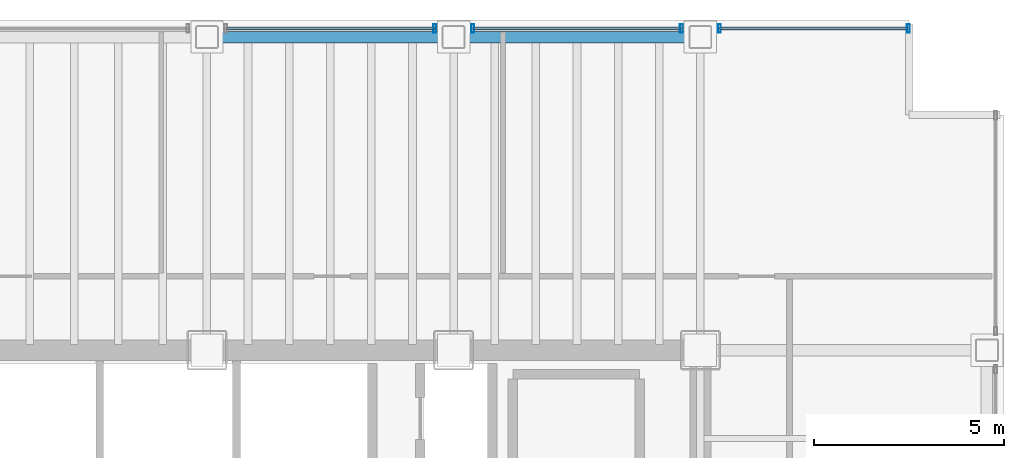
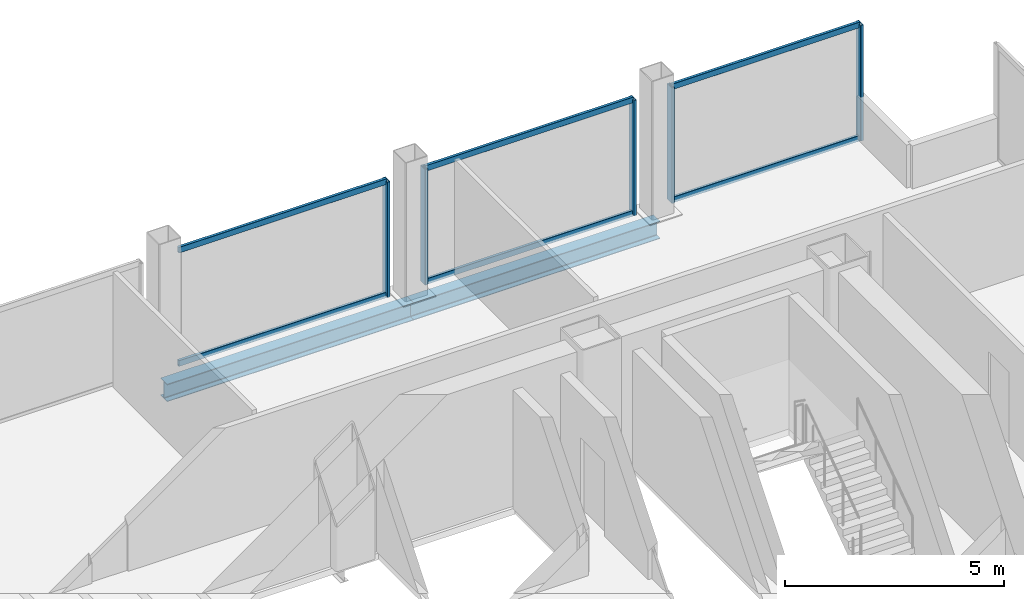
# One storey, part 16 of 21: 11 members, 2 beams, 3 elements without a shape of their own.
"""IFC4 building model written with IfcOpenShell, lengths in metres."""

import ifcopenshell
import ifcopenshell.guid

model = None  # the IFC model being written
_history = None  # IfcOwnerHistory: only IFC2X3 demands one
_inside = {}  # id of a spatial element -> (the spatial element, [elements in it])
_under = {}  # id of a project, library or spatial element -> (it, [spatial elements below it])
_declared = {}  # id of a project -> (the project, [libraries it declares])
_typed = {}  # id of a type object -> (the type object, [elements of that type])
_made_of = {}  # id of a material, layer set ... -> (it, [elements and type objects made of it])


def new_model(schema):
    """Start an empty IFC model of exactly this schema.

    Asked for "IFC4X3", IfcOpenShell would pick the latest addendum, in which some entities
    have other attributes; the version numbers below select the first issue.
    IFC2X3 requires an IfcOwnerHistory on every rooted entity: one is made here for all.
    """
    global model, _history
    if schema == "IFC4X3":
        model = ifcopenshell.file(schema_version=(4, 3, 0, 0))
    else:
        model = ifcopenshell.file(schema=schema)
    _inside.clear()
    _under.clear()
    _declared.clear()
    _typed.clear()
    _made_of.clear()
    _history = None
    if model.schema == "IFC2X3":
        org = make("IfcOrganization", Name="unknown")
        user = make(
            "IfcPersonAndOrganization",
            ThePerson=make("IfcPerson", FamilyName="unknown"),
            TheOrganization=org,
        )
        app = make(
            "IfcApplication",
            ApplicationDeveloper=org,
            Version="unknown",
            ApplicationFullName="unknown",
            ApplicationIdentifier="unknown",
        )
        _history = make(
            "IfcOwnerHistory",
            OwningUser=user,
            OwningApplication=app,
            ChangeAction="ADDED",
            CreationDate=0,
        )
    return model


def make(cls, **values):
    """One entity of the class cls with the attributes given. An attribute that is None is left unset."""
    return model.create_entity(
        cls, **{name: value for name, value in values.items() if value is not None}
    )


def rooted(cls, **values):
    """An entity with a GlobalId (a new one), such as an element, a storey or a relation."""
    return make(cls, GlobalId=ifcopenshell.guid.new(), OwnerHistory=_history, **values)


def si_unit(unit_type, name, prefix=None):
    """IfcSIUnit, for example si_unit("LENGTHUNIT", "METRE", prefix="MILLI")."""
    return make("IfcSIUnit", UnitType=unit_type, Prefix=prefix, Name=name)


def assignment(units):
    """IfcUnitAssignment: the units of a project."""
    return None if units is None else make("IfcUnitAssignment", Units=units)


def point(xyz):
    """IfcCartesianPoint."""
    return None if xyz is None else make("IfcCartesianPoint", Coordinates=xyz)


def direction(xyz):
    """IfcDirection."""
    return None if xyz is None else make("IfcDirection", DirectionRatios=xyz)


def frame(location, z_axis=None, x_axis=None):
    """IfcAxis2Placement3D, a coordinate frame: its origin and axes. An axis left out is left unset."""
    return make(
        "IfcAxis2Placement3D",
        Location=point(location),
        Axis=direction(z_axis),
        RefDirection=direction(x_axis),
    )


def frame_2d(location, x_axis=None):
    """IfcAxis2Placement2D, a coordinate frame in the plane: its origin and x axis."""
    return make(
        "IfcAxis2Placement2D", Location=point(location), RefDirection=direction(x_axis)
    )


def origin():
    """The frame at (0, 0, 0) with its axes left unset."""
    return frame((0.0, 0.0, 0.0))


def origin_2d():
    """The frame at (0, 0) in the plane with its x axis left unset."""
    return frame_2d((0.0, 0.0))


def place(relative_to, where):
    """IfcLocalPlacement: puts the frame where relative to a parent placement (None: the world)."""
    return make(
        "IfcLocalPlacement", PlacementRelTo=relative_to, RelativePlacement=where
    )


def context(
    kind, dimensions, precision=None, world=None, true_north=None, identifier=None
):
    """IfcGeometricRepresentationContext, for example the 3D "Model" context."""
    return make(
        "IfcGeometricRepresentationContext",
        ContextIdentifier=identifier,
        ContextType=kind,
        CoordinateSpaceDimension=dimensions,
        Precision=precision,
        WorldCoordinateSystem=world,
        TrueNorth=true_north,
    )


def subcontext(parent, identifier, kind, view, scale=None):
    """IfcGeometricRepresentationSubContext, for example "Body" below "Model"."""
    return make(
        "IfcGeometricRepresentationSubContext",
        ContextIdentifier=identifier,
        ContextType=kind,
        ParentContext=parent,
        TargetScale=scale,
        TargetView=view,
    )


def project(units=None, contexts=None):
    """IfcProject with its units and contexts."""
    return rooted(
        "IfcProject",
        Name="project",
        RepresentationContexts=contexts,
        UnitsInContext=assignment(units),
    )


def spatial(cls, under=None, at=None, **own):
    """A site, building, storey or space (cls), placed at a placement, below another one or the project."""
    s = rooted(cls, ObjectPlacement=at, **own)
    if under is not None:
        _under.setdefault(under.id(), (under, []))[1].append(s)
    return s


def profile(cls, at=None, kind="AREA", **sizes):
    """A parametric profile (cls). Its sizes go by their IFC names, for example OverallWidth=200.0."""
    return make(cls, ProfileType=kind, Position=at, **sizes)


def hollow_rectangle(**sizes):
    """IfcRectangleHollowProfileDef."""
    return profile("IfcRectangleHollowProfileDef", **sizes)


def i_section(**sizes):
    """IfcIShapeProfileDef."""
    return profile("IfcIShapeProfileDef", **sizes)


def extrude(swept, where, along, depth):
    """IfcExtrudedAreaSolid: the profile swept, set in the frame where, extruded along a direction by depth."""
    return make(
        "IfcExtrudedAreaSolid",
        SweptArea=swept,
        Position=where,
        ExtrudedDirection=direction(along),
        Depth=depth,
    )


def shape(context_of_items, identifier, shape_type, items):
    """IfcShapeRepresentation: the items that make up one representation, for example the "Body"."""
    return make(
        "IfcShapeRepresentation",
        ContextOfItems=context_of_items,
        RepresentationIdentifier=identifier,
        RepresentationType=shape_type,
        Items=items,
    )


def material(Name=None, Category=None):
    """IfcMaterial."""
    return make("IfcMaterial", Name=Name, Category=Category)


def material_profile(
    of_material, cross_section, Name=None, Category=None, Priority=None
):
    """IfcMaterialProfile: a cross section and its material."""
    return make(
        "IfcMaterialProfile",
        Name=Name,
        Material=of_material,
        Profile=cross_section,
        Priority=Priority,
        Category=Category,
    )


def profile_set(profiles, Name=None, composite=None):
    """IfcMaterialProfileSet."""
    return make(
        "IfcMaterialProfileSet",
        Name=Name,
        MaterialProfiles=profiles,
        CompositeProfile=composite,
    )


def made_of(thing, what):
    """Note that an element or type object is made of a material, layer set ...; save() writes the relation."""
    if what is not None:
        _made_of.setdefault(what.id(), (what, []))[1].append(thing)
    return thing


def type_object(cls, material=None, **own):
    """A type object (cls), such as IfcWallType, which elements share."""
    return made_of(rooted(cls, **own), material)


def element(
    cls,
    number,
    at=None,
    inside=None,
    cuts=None,
    type_object=None,
    material=None,
    context=None,
    identifier="Body",
    shape_type=None,
    held_by="IfcProductDefinitionShape",
    body=None,
    shapes=None,
    **own,
):
    """One element of the class cls, such as IfcWall. Its Tag is "e" and its number.

    at: its placement. inside: the storey or other place that contains it. cuts: it is an
    opening in that element (IfcRelVoidsElement). A single representation is given by context,
    identifier, shape_type and body (its items); several are given by shapes. held_by: the class
    of the entity that holds the representations. save() writes the other relations.
    """
    e = rooted(cls, Tag="e%d" % number, ObjectPlacement=at, **own)
    if body is not None:
        shapes = [shape(context, identifier, shape_type, body)]
    if shapes is not None:
        e.Representation = make(held_by, Representations=shapes)
    if inside is not None:
        _inside.setdefault(inside.id(), (inside, []))[1].append(e)
    if cuts is not None:
        rooted(
            "IfcRelVoidsElement", RelatingBuildingElement=cuts, RelatedOpeningElement=e
        )
    if type_object is not None:
        _typed.setdefault(type_object.id(), (type_object, []))[1].append(e)
    return made_of(e, material)


def aggregate(whole, parts):
    """IfcRelAggregates: a whole, such as a stair, and the parts it consists of."""
    return rooted("IfcRelAggregates", RelatingObject=whole, RelatedObjects=parts)


def save(model, path):
    """Write the relations noted so far, then the file.

    IfcRelAggregates (storeys below a building ...), IfcRelContainedInSpatialStructure (elements
    in a storey), IfcRelDefinesByType, IfcRelAssociatesMaterial and IfcRelDeclares: one each for
    every whole, place, type object, material and project.
    """
    for whole, parts in _under.values():
        aggregate(whole, parts)
    for where, things in _inside.values():
        rooted(
            "IfcRelContainedInSpatialStructure",
            RelatedElements=things,
            RelatingStructure=where,
        )
    for kind, things in _typed.values():
        rooted("IfcRelDefinesByType", RelatedObjects=things, RelatingType=kind)
    for what, things in _made_of.values():
        rooted("IfcRelAssociatesMaterial", RelatedObjects=things, RelatingMaterial=what)
    for by, libraries in _declared.values():
        rooted("IfcRelDeclares", RelatingContext=by, RelatedDefinitions=libraries)
    model.write(path)


model = new_model("IFC4")

# Units and contexts
model_context = context("Model", 3, precision=1e-05, world=origin(), true_north=direction((0.0, 1.0)))
body_context = subcontext(model_context, "Body", "Model", "MODEL_VIEW")
ifc_project = project(units=[si_unit("LENGTHUNIT", "METRE"), si_unit("AREAUNIT", "SQUARE_METRE"), si_unit("VOLUMEUNIT", "CUBIC_METRE"), si_unit("PLANEANGLEUNIT", "RADIAN"), si_unit("MASSUNIT", "GRAM", prefix="KILO")], contexts=[model_context])

# Site, building, storey
site_placement = place(None, origin())
site = spatial("IfcSite", under=ifc_project, at=site_placement, CompositionType="ELEMENT")
building_placement = place(site_placement, origin())
building = spatial("IfcBuilding", under=site, at=building_placement, Name="Noeulbin Bourse Tower", CompositionType="ELEMENT")
storey_placement = place(building_placement, frame((0.0, 0.0, 42.10009765625)))
storey = spatial("IfcBuildingStorey", under=building, at=storey_placement, Name="L10", CompositionType="ELEMENT", Elevation=42.10009765625)

# Beams
ifc_material_1 = material(Name="Steel S355", Category="steel")
ifc_material_profile_1 = material_profile(ifc_material_1, i_section(OverallWidth=0.300048828125, OverallDepth=0.488037109375, WebThickness=0.010986328125, FlangeThickness=0.01806640625, FilletRadius=0.02197265625, at=origin_2d()), Name="H-488x300x11x18", Category="LoadBearing")
ifc_profile_set_1 = profile_set([ifc_material_profile_1], Name="Steel S355")
beam_type = type_object("IfcBeamType", Name="BM-SPN-488", PredefinedType="SPANDREL", material=ifc_profile_set_1)
for number, where, z_axis, x_axis, name in (
    (1, (31.0, 46.550048828125, -0.424072265625), (1.0, 0.0, 0.0), (0.0, 1.0, 0.0), "North Spandrel L10-3"),
    (2, (37.5, 46.550048828125, -0.424072265625), (1.0, 0.0, 0.0), (0.0, 1.0, 0.0), "North Spandrel L10-4"),
):
    element("IfcBeam", number, at=place(storey_placement, frame(where, z_axis=z_axis, x_axis=x_axis)), inside=storey, type_object=beam_type, Name=name, PredefinedType="SPANDREL", context=body_context, shape_type="SweptSolid", body=[
        extrude(i_section(OverallWidth=0.300048828125, OverallDepth=0.488037109375, WebThickness=0.010986328125, FlangeThickness=0.01806640625, FilletRadius=0.02197265625, at=origin_2d()), origin(), (0.0, 0.0, 1.0), 6.5),
    ])

# Curtain wall, member
ifc_material_2 = material(Name="Dark Solar-Control Double Glazing", Category="glass")
curtain_wall_type = type_object("IfcCurtainWallType", Name="CW-SYS-2", PredefinedType="NOTDEFINED", material=ifc_material_2)
curtain_wall_1_placement = place(storey_placement, origin())
curtain_wall_1 = element("IfcCurtainWall", 3, at=curtain_wall_1_placement, inside=storey, type_object=curtain_wall_type, Name="Unitised Curtain Wall CW-L10-N-S4", PredefinedType="NOTDEFINED")
ifc_material_3 = material(Name="Anodised Aluminium 6063-T6", Category="aluminium")
ifc_material_profile_2 = material_profile(ifc_material_3, hollow_rectangle(XDim=0.074951171875, YDim=0.219970703125, WallThickness=0.0048828125, InnerFilletRadius=0.00244140625, OuterFilletRadius=0.0048828125, at=origin_2d()), Name="ALU-MULL-75x220x5", Category="LoadBearing")
ifc_profile_set_2 = profile_set([ifc_material_profile_2], Name="Anodised Aluminium 6063-T6")
member_type_1 = type_object("IfcMemberType", Name="CW-SYS-2-MUL", PredefinedType="MULLION", material=ifc_profile_set_2)
member_1_placement = place(storey_placement, frame((37.0, 46.780029296875, -0.02001953125), z_axis=(0.0, 0.0, 1.0), x_axis=(1.0, 0.0, 0.0)))
member_1 = element("IfcMember", 4, at=member_1_placement, type_object=member_type_1, Name="Curtain Wall Mullion CW-L10-N-S4-M01", PredefinedType="MULLION", context=body_context, shape_type="SweptSolid", body=[
    extrude(hollow_rectangle(XDim=0.074951171875, YDim=0.219970703125, WallThickness=0.0048828125, InnerFilletRadius=0.00244140625, OuterFilletRadius=0.0048828125, at=origin_2d()), origin(), (0.0, 0.0, 1.0), 3.219970703125),
])

# Curtain wall, members
curtain_wall_2_placement = place(storey_placement, origin())
curtain_wall_2 = element("IfcCurtainWall", 5, at=curtain_wall_2_placement, inside=storey, type_object=curtain_wall_type, Name="Unitised Curtain Wall CW-L10-N-S5", PredefinedType="NOTDEFINED")
member_2_placement = place(storey_placement, frame((38.0, 46.780029296875, -0.02001953125), z_axis=(0.0, 0.0, 1.0), x_axis=(1.0, 0.0, 0.0)))
member_2 = element("IfcMember", 6, at=member_2_placement, type_object=member_type_1, Name="Curtain Wall Mullion CW-L10-N-S5-M00", PredefinedType="MULLION", context=body_context, shape_type="SweptSolid", body=[
    extrude(hollow_rectangle(XDim=0.074951171875, YDim=0.219970703125, WallThickness=0.0048828125, InnerFilletRadius=0.00244140625, OuterFilletRadius=0.0048828125, at=origin_2d()), origin(), (0.0, 0.0, 1.0), 3.219970703125),
])
member_3_placement = place(storey_placement, frame((43.5, 46.780029296875, -0.02001953125), z_axis=(0.0, 0.0, 1.0), x_axis=(1.0, 0.0, 0.0)))
member_3 = element("IfcMember", 7, at=member_3_placement, type_object=member_type_1, Name="Curtain Wall Mullion CW-L10-N-S5-M01", PredefinedType="MULLION", context=body_context, shape_type="SweptSolid", body=[
    extrude(hollow_rectangle(XDim=0.074951171875, YDim=0.219970703125, WallThickness=0.0048828125, InnerFilletRadius=0.00244140625, OuterFilletRadius=0.0048828125, at=origin_2d()), origin(), (0.0, 0.0, 1.0), 3.219970703125),
])

curtain_wall_3_placement = place(storey_placement, origin())
curtain_wall_3 = element("IfcCurtainWall", 8, at=curtain_wall_3_placement, inside=storey, type_object=curtain_wall_type, Name="Unitised Curtain Wall CW-L10-N-S6", PredefinedType="NOTDEFINED")
member_4_placement = place(storey_placement, frame((44.5, 46.780029296875, -0.02001953125), z_axis=(0.0, 0.0, 1.0), x_axis=(1.0, 0.0, 0.0)))
member_4 = element("IfcMember", 9, at=member_4_placement, type_object=member_type_1, Name="Curtain Wall Mullion CW-L10-N-S6-M00", PredefinedType="MULLION", context=body_context, shape_type="SweptSolid", body=[
    extrude(hollow_rectangle(XDim=0.074951171875, YDim=0.219970703125, WallThickness=0.0048828125, InnerFilletRadius=0.00244140625, OuterFilletRadius=0.0048828125, at=origin_2d()), origin(), (0.0, 0.0, 1.0), 3.219970703125),
])
member_5_placement = place(storey_placement, frame((49.47998046875, 46.780029296875, -0.02001953125), z_axis=(0.0, 0.0, 1.0), x_axis=(1.0, 0.0, 0.0)))
member_5 = element("IfcMember", 10, at=member_5_placement, type_object=member_type_1, Name="Curtain Wall Mullion CW-L10-N-S6-M01", PredefinedType="MULLION", context=body_context, shape_type="SweptSolid", body=[
    extrude(hollow_rectangle(XDim=0.074951171875, YDim=0.219970703125, WallThickness=0.0048828125, InnerFilletRadius=0.00244140625, OuterFilletRadius=0.0048828125, at=origin_2d()), origin(), (0.0, 0.0, 1.0), 3.219970703125),
])

# Member
ifc_material_profile_3 = material_profile(ifc_material_3, hollow_rectangle(XDim=0.074951171875, YDim=0.159912109375, WallThickness=0.0048828125, InnerFilletRadius=0.00244140625, OuterFilletRadius=0.0048828125, at=origin_2d()), Name="ALU-TRAN-75x160x5", Category="LoadBearing")
ifc_profile_set_3 = profile_set([ifc_material_profile_3], Name="Anodised Aluminium 6063-T6")
member_type_2 = type_object("IfcMemberType", Name="CW-SYS-2-TRN", PredefinedType="USERDEFINED", material=ifc_profile_set_3)
member_6_placement = place(storey_placement, frame((31.510009765625, 46.780029296875, 0.010009765625), z_axis=(1.0, 0.0, 0.0), x_axis=(0.0, 1.0, 0.0)))
member_6 = element("IfcMember", 11, at=member_6_placement, type_object=member_type_2, Name="Curtain Wall Transom CW-L10-N-S4-T00", ObjectType="TRANSOM", PredefinedType="USERDEFINED", context=body_context, shape_type="SweptSolid", body=[
    extrude(hollow_rectangle(XDim=0.074951171875, YDim=0.159912109375, WallThickness=0.0048828125, InnerFilletRadius=0.00244140625, OuterFilletRadius=0.0048828125, at=origin_2d()), origin(), (0.0, 0.0, 1.0), 5.47998046875),
])

member_7_placement = place(storey_placement, frame((31.510009765625, 46.780029296875, 3.169921875), z_axis=(1.0, 0.0, 0.0), x_axis=(0.0, 1.0, 0.0)))
member_7 = element("IfcMember", 12, at=member_7_placement, type_object=member_type_2, Name="Curtain Wall Transom CW-L10-N-S4-T01", ObjectType="TRANSOM", PredefinedType="USERDEFINED", context=body_context, shape_type="SweptSolid", body=[
    extrude(hollow_rectangle(XDim=0.074951171875, YDim=0.159912109375, WallThickness=0.0048828125, InnerFilletRadius=0.00244140625, OuterFilletRadius=0.0048828125, at=origin_2d()), origin(), (0.0, 0.0, 1.0), 5.47998046875),
])

aggregate(curtain_wall_1, [member_1, member_6, member_7])

member_8_placement = place(storey_placement, frame((38.010009765625, 46.780029296875, 0.010009765625), z_axis=(1.0, 0.0, 0.0), x_axis=(0.0, 1.0, 0.0)))
member_8 = element("IfcMember", 13, at=member_8_placement, type_object=member_type_2, Name="Curtain Wall Transom CW-L10-N-S5-T00", ObjectType="TRANSOM", PredefinedType="USERDEFINED", context=body_context, shape_type="SweptSolid", body=[
    extrude(hollow_rectangle(XDim=0.074951171875, YDim=0.159912109375, WallThickness=0.0048828125, InnerFilletRadius=0.00244140625, OuterFilletRadius=0.0048828125, at=origin_2d()), origin(), (0.0, 0.0, 1.0), 5.47998046875),
])

member_9_placement = place(storey_placement, frame((38.010009765625, 46.780029296875, 3.169921875), z_axis=(1.0, 0.0, 0.0), x_axis=(0.0, 1.0, 0.0)))
member_9 = element("IfcMember", 14, at=member_9_placement, type_object=member_type_2, Name="Curtain Wall Transom CW-L10-N-S5-T01", ObjectType="TRANSOM", PredefinedType="USERDEFINED", context=body_context, shape_type="SweptSolid", body=[
    extrude(hollow_rectangle(XDim=0.074951171875, YDim=0.159912109375, WallThickness=0.0048828125, InnerFilletRadius=0.00244140625, OuterFilletRadius=0.0048828125, at=origin_2d()), origin(), (0.0, 0.0, 1.0), 5.47998046875),
])

aggregate(curtain_wall_2, [member_2, member_3, member_8, member_9])

member_10_placement = place(storey_placement, frame((44.510009765625, 46.780029296875, 0.010009765625), z_axis=(1.0, 0.0, 0.0), x_axis=(0.0, 1.0, 0.0)))
member_10 = element("IfcMember", 15, at=member_10_placement, type_object=member_type_2, Name="Curtain Wall Transom CW-L10-N-S6-T00", ObjectType="TRANSOM", PredefinedType="USERDEFINED", context=body_context, shape_type="SweptSolid", body=[
    extrude(hollow_rectangle(XDim=0.074951171875, YDim=0.159912109375, WallThickness=0.0048828125, InnerFilletRadius=0.00244140625, OuterFilletRadius=0.0048828125, at=origin_2d()), origin(), (0.0, 0.0, 1.0), 4.9599609375),
])

member_11_placement = place(storey_placement, frame((44.510009765625, 46.780029296875, 3.169921875), z_axis=(1.0, 0.0, 0.0), x_axis=(0.0, 1.0, 0.0)))
member_11 = element("IfcMember", 16, at=member_11_placement, type_object=member_type_2, Name="Curtain Wall Transom CW-L10-N-S6-T01", ObjectType="TRANSOM", PredefinedType="USERDEFINED", context=body_context, shape_type="SweptSolid", body=[
    extrude(hollow_rectangle(XDim=0.074951171875, YDim=0.159912109375, WallThickness=0.0048828125, InnerFilletRadius=0.00244140625, OuterFilletRadius=0.0048828125, at=origin_2d()), origin(), (0.0, 0.0, 1.0), 4.9599609375),
])

aggregate(curtain_wall_3, [member_4, member_5, member_10, member_11])

save(model, "model.ifc")
